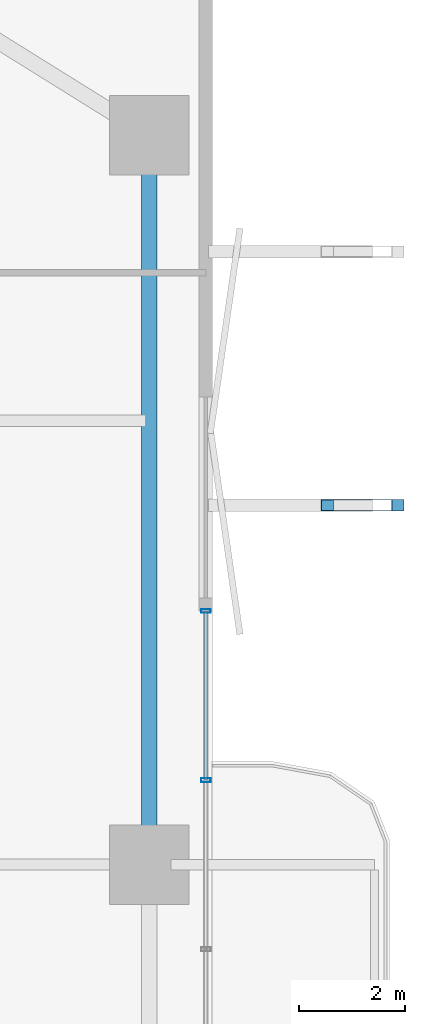
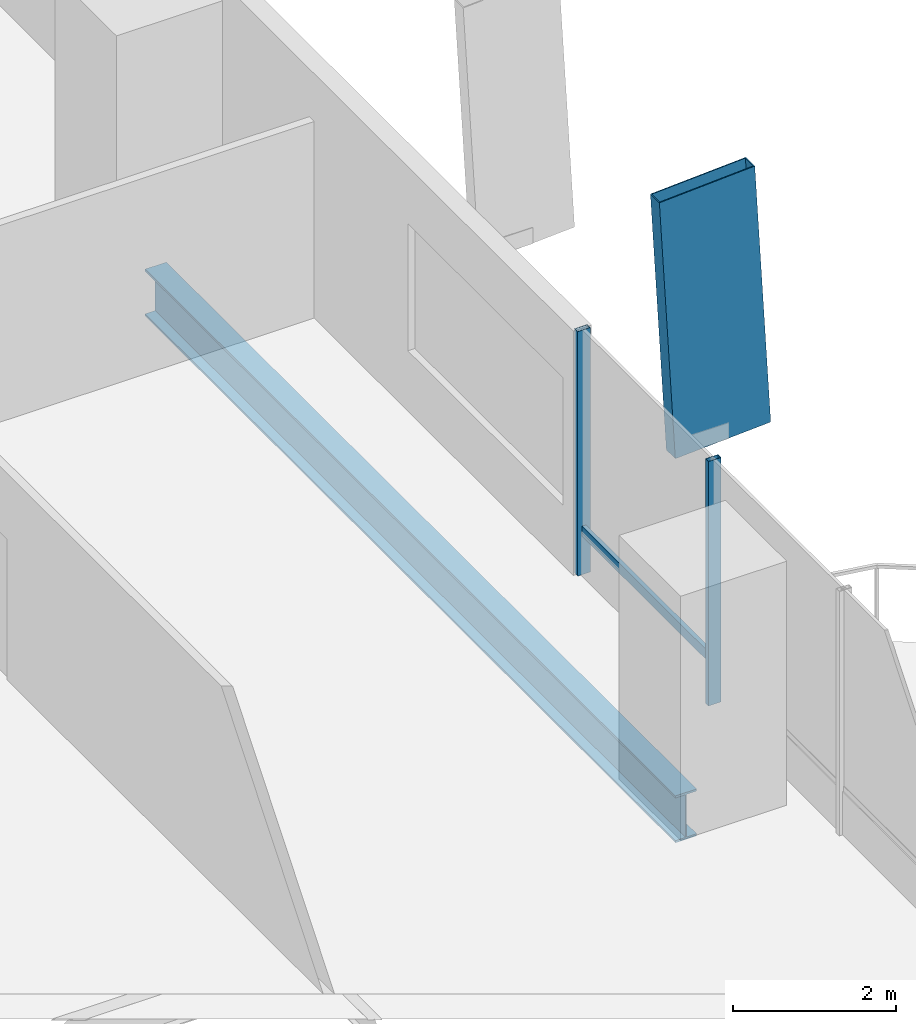
# One storey, part 13 of 23: 4 members, 1 beam, 1 element without a shape of its own.
"""IFC4 building model written with IfcOpenShell, lengths in metres."""

import ifcopenshell
import ifcopenshell.guid

model = None  # the IFC model being written
_history = None  # IfcOwnerHistory: only IFC2X3 demands one
_inside = {}  # id of a spatial element -> (the spatial element, [elements in it])
_under = {}  # id of a project, library or spatial element -> (it, [spatial elements below it])
_declared = {}  # id of a project -> (the project, [libraries it declares])
_typed = {}  # id of a type object -> (the type object, [elements of that type])
_made_of = {}  # id of a material, layer set ... -> (it, [elements and type objects made of it])


def new_model(schema):
    """Start an empty IFC model of exactly this schema.

    Asked for "IFC4X3", IfcOpenShell would pick the latest addendum, in which some entities
    have other attributes; the version numbers below select the first issue.
    IFC2X3 requires an IfcOwnerHistory on every rooted entity: one is made here for all.
    """
    global model, _history
    if schema == "IFC4X3":
        model = ifcopenshell.file(schema_version=(4, 3, 0, 0))
    else:
        model = ifcopenshell.file(schema=schema)
    _inside.clear()
    _under.clear()
    _declared.clear()
    _typed.clear()
    _made_of.clear()
    _history = None
    if model.schema == "IFC2X3":
        org = make("IfcOrganization", Name="unknown")
        user = make(
            "IfcPersonAndOrganization",
            ThePerson=make("IfcPerson", FamilyName="unknown"),
            TheOrganization=org,
        )
        app = make(
            "IfcApplication",
            ApplicationDeveloper=org,
            Version="unknown",
            ApplicationFullName="unknown",
            ApplicationIdentifier="unknown",
        )
        _history = make(
            "IfcOwnerHistory",
            OwningUser=user,
            OwningApplication=app,
            ChangeAction="ADDED",
            CreationDate=0,
        )
    return model


def make(cls, **values):
    """One entity of the class cls with the attributes given. An attribute that is None is left unset."""
    return model.create_entity(
        cls, **{name: value for name, value in values.items() if value is not None}
    )


def rooted(cls, **values):
    """An entity with a GlobalId (a new one), such as an element, a storey or a relation."""
    return make(cls, GlobalId=ifcopenshell.guid.new(), OwnerHistory=_history, **values)


def si_unit(unit_type, name, prefix=None):
    """IfcSIUnit, for example si_unit("LENGTHUNIT", "METRE", prefix="MILLI")."""
    return make("IfcSIUnit", UnitType=unit_type, Prefix=prefix, Name=name)


def assignment(units):
    """IfcUnitAssignment: the units of a project."""
    return None if units is None else make("IfcUnitAssignment", Units=units)


def point(xyz):
    """IfcCartesianPoint."""
    return None if xyz is None else make("IfcCartesianPoint", Coordinates=xyz)


def direction(xyz):
    """IfcDirection."""
    return None if xyz is None else make("IfcDirection", DirectionRatios=xyz)


def frame(location, z_axis=None, x_axis=None):
    """IfcAxis2Placement3D, a coordinate frame: its origin and axes. An axis left out is left unset."""
    return make(
        "IfcAxis2Placement3D",
        Location=point(location),
        Axis=direction(z_axis),
        RefDirection=direction(x_axis),
    )


def frame_2d(location, x_axis=None):
    """IfcAxis2Placement2D, a coordinate frame in the plane: its origin and x axis."""
    return make(
        "IfcAxis2Placement2D", Location=point(location), RefDirection=direction(x_axis)
    )


def origin():
    """The frame at (0, 0, 0) with its axes left unset."""
    return frame((0.0, 0.0, 0.0))


def origin_2d():
    """The frame at (0, 0) in the plane with its x axis left unset."""
    return frame_2d((0.0, 0.0))


def place(relative_to, where):
    """IfcLocalPlacement: puts the frame where relative to a parent placement (None: the world)."""
    return make(
        "IfcLocalPlacement", PlacementRelTo=relative_to, RelativePlacement=where
    )


def context(
    kind, dimensions, precision=None, world=None, true_north=None, identifier=None
):
    """IfcGeometricRepresentationContext, for example the 3D "Model" context."""
    return make(
        "IfcGeometricRepresentationContext",
        ContextIdentifier=identifier,
        ContextType=kind,
        CoordinateSpaceDimension=dimensions,
        Precision=precision,
        WorldCoordinateSystem=world,
        TrueNorth=true_north,
    )


def subcontext(parent, identifier, kind, view, scale=None):
    """IfcGeometricRepresentationSubContext, for example "Body" below "Model"."""
    return make(
        "IfcGeometricRepresentationSubContext",
        ContextIdentifier=identifier,
        ContextType=kind,
        ParentContext=parent,
        TargetScale=scale,
        TargetView=view,
    )


def project(units=None, contexts=None):
    """IfcProject with its units and contexts."""
    return rooted(
        "IfcProject",
        Name="project",
        RepresentationContexts=contexts,
        UnitsInContext=assignment(units),
    )


def spatial(cls, under=None, at=None, **own):
    """A site, building, storey or space (cls), placed at a placement, below another one or the project."""
    s = rooted(cls, ObjectPlacement=at, **own)
    if under is not None:
        _under.setdefault(under.id(), (under, []))[1].append(s)
    return s


def profile(cls, at=None, kind="AREA", **sizes):
    """A parametric profile (cls). Its sizes go by their IFC names, for example OverallWidth=200.0."""
    return make(cls, ProfileType=kind, Position=at, **sizes)


def hollow_rectangle(**sizes):
    """IfcRectangleHollowProfileDef."""
    return profile("IfcRectangleHollowProfileDef", **sizes)


def i_section(**sizes):
    """IfcIShapeProfileDef."""
    return profile("IfcIShapeProfileDef", **sizes)


def extrude(swept, where, along, depth):
    """IfcExtrudedAreaSolid: the profile swept, set in the frame where, extruded along a direction by depth."""
    return make(
        "IfcExtrudedAreaSolid",
        SweptArea=swept,
        Position=where,
        ExtrudedDirection=direction(along),
        Depth=depth,
    )


def shape(context_of_items, identifier, shape_type, items):
    """IfcShapeRepresentation: the items that make up one representation, for example the "Body"."""
    return make(
        "IfcShapeRepresentation",
        ContextOfItems=context_of_items,
        RepresentationIdentifier=identifier,
        RepresentationType=shape_type,
        Items=items,
    )


def material(Name=None, Category=None):
    """IfcMaterial."""
    return make("IfcMaterial", Name=Name, Category=Category)


def layer(
    of_material, thickness, ventilated=None, Name=None, Category=None, Priority=None
):
    """IfcMaterialLayer: one layer of a wall or slab, of a material (None: an air gap)."""
    return make(
        "IfcMaterialLayer",
        Material=of_material,
        LayerThickness=thickness,
        IsVentilated=ventilated,
        Name=Name,
        Category=Category,
        Priority=Priority,
    )


def layer_set(layers, Name=None):
    """IfcMaterialLayerSet."""
    return make("IfcMaterialLayerSet", MaterialLayers=layers, LayerSetName=Name)


def material_profile(
    of_material, cross_section, Name=None, Category=None, Priority=None
):
    """IfcMaterialProfile: a cross section and its material."""
    return make(
        "IfcMaterialProfile",
        Name=Name,
        Material=of_material,
        Profile=cross_section,
        Priority=Priority,
        Category=Category,
    )


def profile_set(profiles, Name=None, composite=None):
    """IfcMaterialProfileSet."""
    return make(
        "IfcMaterialProfileSet",
        Name=Name,
        MaterialProfiles=profiles,
        CompositeProfile=composite,
    )


def made_of(thing, what):
    """Note that an element or type object is made of a material, layer set ...; save() writes the relation."""
    if what is not None:
        _made_of.setdefault(what.id(), (what, []))[1].append(thing)
    return thing


def type_object(cls, material=None, **own):
    """A type object (cls), such as IfcWallType, which elements share."""
    return made_of(rooted(cls, **own), material)


def element(
    cls,
    number,
    at=None,
    inside=None,
    cuts=None,
    type_object=None,
    material=None,
    context=None,
    identifier="Body",
    shape_type=None,
    held_by="IfcProductDefinitionShape",
    body=None,
    shapes=None,
    **own,
):
    """One element of the class cls, such as IfcWall. Its Tag is "e" and its number.

    at: its placement. inside: the storey or other place that contains it. cuts: it is an
    opening in that element (IfcRelVoidsElement). A single representation is given by context,
    identifier, shape_type and body (its items); several are given by shapes. held_by: the class
    of the entity that holds the representations. save() writes the other relations.
    """
    e = rooted(cls, Tag="e%d" % number, ObjectPlacement=at, **own)
    if body is not None:
        shapes = [shape(context, identifier, shape_type, body)]
    if shapes is not None:
        e.Representation = make(held_by, Representations=shapes)
    if inside is not None:
        _inside.setdefault(inside.id(), (inside, []))[1].append(e)
    if cuts is not None:
        rooted(
            "IfcRelVoidsElement", RelatingBuildingElement=cuts, RelatedOpeningElement=e
        )
    if type_object is not None:
        _typed.setdefault(type_object.id(), (type_object, []))[1].append(e)
    return made_of(e, material)


def aggregate(whole, parts):
    """IfcRelAggregates: a whole, such as a stair, and the parts it consists of."""
    return rooted("IfcRelAggregates", RelatingObject=whole, RelatedObjects=parts)


def save(model, path):
    """Write the relations noted so far, then the file.

    IfcRelAggregates (storeys below a building ...), IfcRelContainedInSpatialStructure (elements
    in a storey), IfcRelDefinesByType, IfcRelAssociatesMaterial and IfcRelDeclares: one each for
    every whole, place, type object, material and project.
    """
    for whole, parts in _under.values():
        aggregate(whole, parts)
    for where, things in _inside.values():
        rooted(
            "IfcRelContainedInSpatialStructure",
            RelatedElements=things,
            RelatingStructure=where,
        )
    for kind, things in _typed.values():
        rooted("IfcRelDefinesByType", RelatedObjects=things, RelatingType=kind)
    for what, things in _made_of.values():
        rooted("IfcRelAssociatesMaterial", RelatedObjects=things, RelatingMaterial=what)
    for by, libraries in _declared.values():
        rooted("IfcRelDeclares", RelatingContext=by, RelatedDefinitions=libraries)
    model.write(path)


model = new_model("IFC4")

# Units and contexts
model_context = context("Model", 3, precision=1e-05, world=origin(), true_north=direction((0.0, 1.0)))
body_context = subcontext(model_context, "Body", "Model", "MODEL_VIEW")
ifc_project = project(units=[si_unit("LENGTHUNIT", "METRE"), si_unit("AREAUNIT", "SQUARE_METRE"), si_unit("VOLUMEUNIT", "CUBIC_METRE"), si_unit("PLANEANGLEUNIT", "RADIAN"), si_unit("MASSUNIT", "GRAM", prefix="KILO")], contexts=[model_context])

# Site, building, storey
site_placement = place(None, origin())
site = spatial("IfcSite", under=ifc_project, at=site_placement, CompositionType="ELEMENT")
building_placement = place(site_placement, origin())
building = spatial("IfcBuilding", under=site, at=building_placement, Name="Belovzor Exchange Tower", CompositionType="ELEMENT")
storey_placement = place(building_placement, frame((0.0, 0.0, 41.699951171875)))
storey = spatial("IfcBuildingStorey", under=building, at=storey_placement, Name="L09", CompositionType="ELEMENT", Elevation=41.699951171875)

# Member
ifc_material_1 = material(Name="Extruded Architectural Terracotta on Steel S355 Carrier", Category="masonry")
ifc_material_profile_1 = material_profile(ifc_material_1, hollow_rectangle(XDim=0.219970703125, YDim=1.35009765625, WallThickness=0.013916015625, at=origin_2d()))
ifc_profile_set_1 = profile_set([ifc_material_profile_1], Name="Extruded Architectural Terracotta on Steel S355 Carrier")
member_type_1 = type_object("IfcMemberType", Name="Base Arc Sweeping Terracotta Pylon Fin 1450", PredefinedType="USERDEFINED", material=ifc_profile_set_1)
member_1_placement = place(storey_placement, frame((59.64599609375, 35.60009765625, -0.25), z_axis=(-0.057619293609, 0.0, 0.998338628424), x_axis=(0.0, -1.0, 0.0)))
element("IfcMember", 1, at=member_1_placement, inside=storey, type_object=member_type_1, Name="FIN-TC145 Terracotta Facade Fin L09 E3", ObjectType="FIN", PredefinedType="USERDEFINED", context=body_context, shape_type="SweptSolid", body=[
    extrude(hollow_rectangle(XDim=0.219970703125, YDim=1.35009765625, WallThickness=0.013916015625, at=origin_2d()), origin(), (0.0, 0.0, 1.0), 3.90673828125),
])

# Curtain wall, members
ifc_material_2 = material(Name="Anodised Aluminium Framing", Category="aluminium")
ifc_layer = layer(ifc_material_2, 0.179931640625)
ifc_layer_set = layer_set([ifc_layer], Name="Anodised Aluminium Framing")
curtain_wall_type = type_object("IfcCurtainWallType", Name="Recessed Loggia Low-Iron Triple-Glazed Curtain Wall", PredefinedType="NOTDEFINED", material=ifc_layer_set)
curtain_wall_placement = place(storey_placement, origin())
curtain_wall = element("IfcCurtainWall", 2, at=curtain_wall_placement, inside=storey, type_object=curtain_wall_type, Name="CW3 Recessed Loggia Low-Iron Triple-Glazed Curtain Wall L09", PredefinedType="NOTDEFINED")
ifc_material_3 = material(Name="Steel S355", Category="steel")
ifc_material_profile_2 = material_profile(ifc_material_3, hollow_rectangle(XDim=0.074951171875, YDim=0.179931640625, WallThickness=0.0048828125, at=origin_2d()))
ifc_profile_set_2 = profile_set([ifc_material_profile_2], Name="Steel S355")
member_type_2 = type_object("IfcMemberType", Name="Thermally Broken Curtain Wall Mullion 180x75", PredefinedType="MULLION", material=ifc_profile_set_2)
member_2_placement = place(storey_placement, frame((56.570068359375, 33.60009765625, 0.0), z_axis=(0.0, 0.0, 1.0), x_axis=(0.0, -1.0, 0.0)))
member_2 = element("IfcMember", 3, at=member_2_placement, type_object=member_type_2, Name="CW-M180 Curtain Wall Mullion 1", PredefinedType="MULLION", context=body_context, shape_type="SweptSolid", body=[
    extrude(hollow_rectangle(XDim=0.074951171875, YDim=0.179931640625, WallThickness=0.0048828125, at=origin_2d()), origin(), (0.0, 0.0, 1.0), 3.650146484375),
])
member_3_placement = place(storey_placement, frame((56.570068359375, 30.39990234375, 0.0), z_axis=(0.0, 0.0, 1.0), x_axis=(0.0, -1.0, 0.0)))
member_3 = element("IfcMember", 4, at=member_3_placement, type_object=member_type_2, Name="CW-M180 Curtain Wall Mullion 2", PredefinedType="MULLION", context=body_context, shape_type="SweptSolid", body=[
    extrude(hollow_rectangle(XDim=0.074951171875, YDim=0.179931640625, WallThickness=0.0048828125, at=origin_2d()), origin(), (0.0, 0.0, 1.0), 3.650146484375),
])
ifc_material_4 = material(Name="Steel S355", Category="steel")
ifc_material_profile_3 = material_profile(ifc_material_4, hollow_rectangle(XDim=0.06005859375, YDim=0.14990234375, WallThickness=0.00390625, at=origin_2d()))
ifc_profile_set_3 = profile_set([ifc_material_profile_3], Name="Steel S355")
member_type_3 = type_object("IfcMemberType", Name="Thermally Broken Curtain Wall Transom 150x60", PredefinedType="USERDEFINED", material=ifc_profile_set_3)
member_4_placement = place(storey_placement, frame((56.570068359375, 33.592041015625, 0.650146484375), z_axis=(0.0, -1.0, 0.0), x_axis=(1.0, 0.0, 0.0)))
member_4 = element("IfcMember", 5, at=member_4_placement, type_object=member_type_3, Name="CW-T150 Curtain Wall Transom 1", ObjectType="TRANSOM", PredefinedType="USERDEFINED", context=body_context, shape_type="SweptSolid", body=[
    extrude(hollow_rectangle(XDim=0.06005859375, YDim=0.14990234375, WallThickness=0.00390625, at=origin_2d()), origin(), (0.0, 0.0, 1.0), 3.18408203125),
])
aggregate(curtain_wall, [member_2, member_3, member_4])

# Beam
ifc_material_5 = material(Name="Steel S355", Category="steel")
ifc_material_profile_4 = material_profile(ifc_material_5, i_section(OverallWidth=0.300048828125, OverallDepth=0.699951171875, WebThickness=0.01708984375, FlangeThickness=0.031982421875, at=origin_2d()))
ifc_profile_set_4 = profile_set([ifc_material_profile_4], Name="Steel S355")
beam_type = type_object("IfcBeamType", Name="Zone 1 Primary Perimeter Girder HEB 700", PredefinedType="BEAM", material=ifc_profile_set_4)
beam_placement = place(storey_placement, frame((55.5, 29.212890625, -0.599853515625), z_axis=(0.0, 1.0, 0.0), x_axis=(-1.0, 0.0, 0.0)))
element("IfcBeam", 6, at=beam_placement, inside=storey, type_object=beam_type, Name="FG-Z1 Zone 1 Primary Perimeter Girder HEB 700", PredefinedType="BEAM", context=body_context, shape_type="SweptSolid", body=[
    extrude(i_section(OverallWidth=0.300048828125, OverallDepth=0.699951171875, WebThickness=0.01708984375, FlangeThickness=0.031982421875, at=origin_2d()), origin(), (0.0, 0.0, 1.0), 12.97509765625),
])

save(model, "model.ifc")
